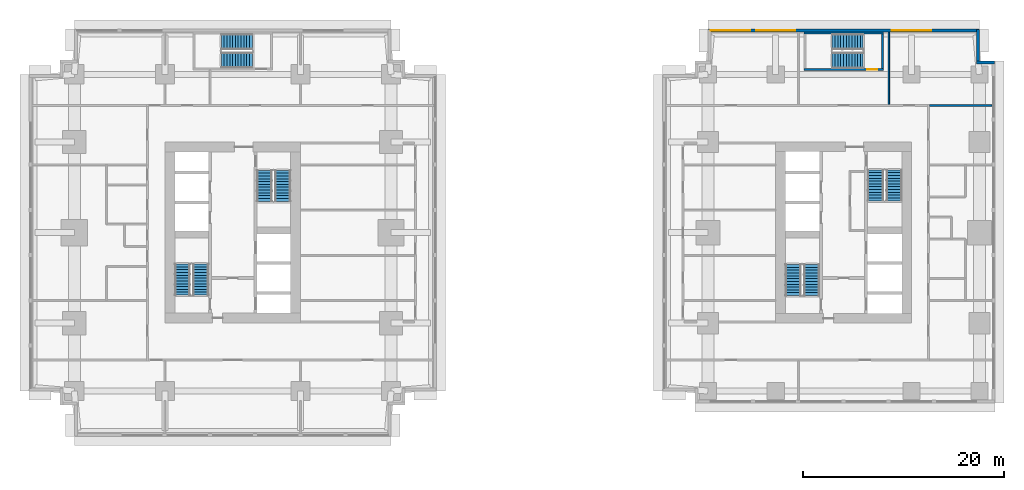
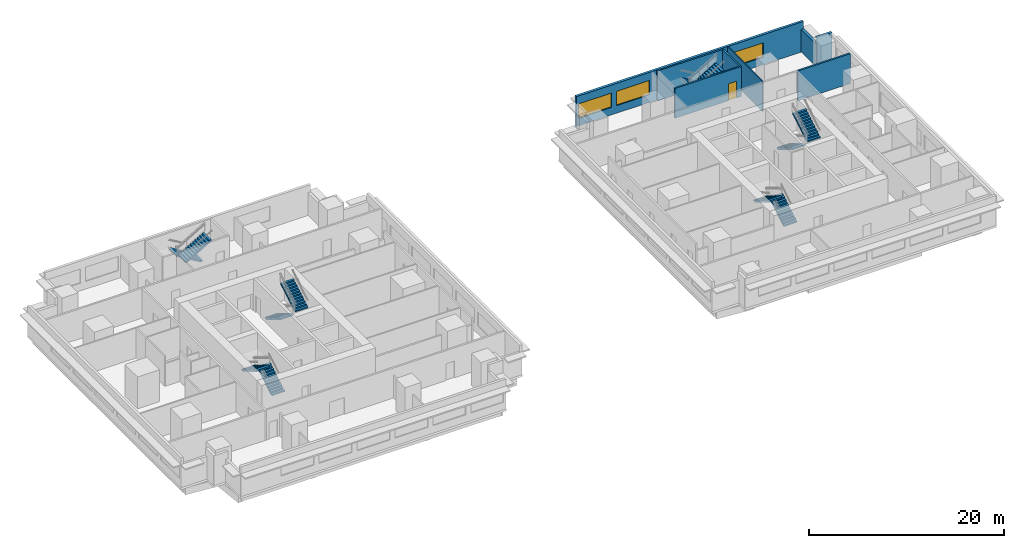
# One storey, part 8 of 11: 12 stair flights, 8 walls, 3 windows, 1 door, 4 openings, 6 elements without a shape of their own.
"""IFC4 building model written with IfcOpenShell, lengths in metres."""

from ifc_helpers import new_model, si_unit, direction, frame, frame_2d, origin, place, context, subcontext, project, spatial, polyline, rectangle, outline, extrude, material, layer, layer_set, type_object, element, fill, aggregate, save


model = new_model("IFC4")

# Units and contexts
model_context = context("Model", 3, precision=1e-05, world=origin(), true_north=direction((0.0, 1.0)))
body_context = subcontext(model_context, "Body", "Model", "MODEL_VIEW")
ifc_project = project(units=[si_unit("LENGTHUNIT", "METRE"), si_unit("AREAUNIT", "SQUARE_METRE"), si_unit("VOLUMEUNIT", "CUBIC_METRE"), si_unit("PLANEANGLEUNIT", "RADIAN"), si_unit("MASSUNIT", "GRAM", prefix="KILO")], contexts=[model_context])

# Site, building, storey
site_placement = place(None, origin())
site = spatial("IfcSite", under=ifc_project, at=site_placement, CompositionType="ELEMENT")
building_placement = place(site_placement, origin())
building = spatial("IfcBuilding", under=site, at=building_placement, Name="Namib Vertical Campus", CompositionType="ELEMENT")
storey_placement = place(building_placement, frame((0.0, 0.0, 85.0)))
storey = spatial("IfcBuildingStorey", under=building, at=storey_placement, Name="L19", CompositionType="ELEMENT", Elevation=85.0)

# Walls
ifc_material_1 = material(Name="Concrete masonry", Category="masonry")
ifc_layer_1 = layer(ifc_material_1, 0.199951171875)
ifc_layer_set_1 = layer_set([ifc_layer_1], Name="Corridor wall 200")
wall_type_1 = type_object("IfcWallType", Name="Corridor wall 200", PredefinedType="SOLIDWALL", material=ifc_layer_set_1)
wall_1_placement = place(storey_placement, frame((89.550048828125, 32.89990234375, 0.0), z_axis=(0.0, 0.0, 1.0), x_axis=(1.0, 0.0, 0.0)))
element("IfcWall", 1, at=wall_1_placement, inside=storey, type_object=wall_type_1, Name="Partition B L19 BNE", PredefinedType="SOLIDWALL", context=body_context, shape_type="SweptSolid", body=[
    extrude(rectangle(XDim=6.199951171875, YDim=0.199951171875, at=frame_2d((3.10009765625, 0.0))), origin(), (0.0, 0.0, 1.0), 3.75),
])
ifc_material_2 = material(Name="Concrete C40/50", Category="concrete")
ifc_layer_2 = layer(ifc_material_2, 0.300048828125)
ifc_layer_set_2 = layer_set([ifc_layer_2], Name="Concrete C40/50")
wall_type_2 = type_object("IfcWallType", Name="External wall 300 board-marked concrete", PredefinedType="STANDARD", material=ifc_layer_set_2)
wall_2_placement = place(storey_placement, frame((96.030029296875, 37.14990234375, 0.0), z_axis=(0.0, 0.0, 1.0), x_axis=(-1.0, 0.0, 0.0)))
element("IfcWall", 2, at=wall_2_placement, inside=storey, type_object=wall_type_2, Name="External wall L19 F05", PredefinedType="STANDARD", context=body_context, shape_type="SweptSolid", body=[
    extrude(rectangle(XDim=1.81005859375, YDim=0.300048828125, at=frame_2d((0.905029296875, 0.0))), origin(), (0.0, 0.0, 1.0), 3.75),
])
wall_3_placement = place(storey_placement, frame((94.35009765625, 37.02001953125, 0.0), z_axis=(0.0, 0.0, 1.0), x_axis=(0.0, 1.0, 0.0)))
element("IfcWall", 3, at=wall_3_placement, inside=storey, type_object=wall_type_2, Name="External wall L19 F06", PredefinedType="STANDARD", context=body_context, shape_type="SweptSolid", body=[
    extrude(rectangle(XDim=3.4599609375, YDim=0.300048828125, at=frame_2d((1.72998046875, 0.0))), origin(), (0.0, 0.0, 1.0), 2.85009765625),
])

# Wall, openings, windows
wall_4_placement = place(storey_placement, frame((94.47998046875, 40.35009765625, 0.0), z_axis=(0.0, 0.0, 1.0), x_axis=(-1.0, 0.0, 0.0)))
wall_4 = element("IfcWall", 4, at=wall_4_placement, inside=storey, type_object=wall_type_2, Name="External wall L19 F07", PredefinedType="STANDARD", context=body_context, shape_type="SweptSolid", body=[
    extrude(rectangle(XDim=26.9599609375, YDim=0.300048828125, at=frame_2d((13.47998046875, 0.0))), origin(), (0.0, 0.0, 1.0), 3.75),
])
opening_1_placement = place(wall_4_placement, frame((22.780029296875, 0.0, 0.949951171875)))
opening_1 = element("IfcOpeningElement", 5, at=opening_1_placement, cuts=wall_4, Name="Opening W3", PredefinedType="OPENING", context=body_context, shape_type="SweptSolid", body=[
    extrude(rectangle(XDim=3.89990234375, YDim=1.800048828125, at=frame_2d((1.949951171875, 0.89990234375))), frame((0.0, 0.159912109375, 0.0), z_axis=(0.0, -1.0, 0.0), x_axis=(1.0, 0.0, 0.0)), (0.0, 0.0, 1.0), 0.320068359375),
])
opening_2_placement = place(wall_4_placement, frame((18.280029296875, 0.0, 0.949951171875)))
opening_2 = element("IfcOpeningElement", 6, at=opening_2_placement, cuts=wall_4, Name="Opening W3", PredefinedType="OPENING", context=body_context, shape_type="SweptSolid", body=[
    extrude(rectangle(XDim=3.89990234375, YDim=1.800048828125, at=frame_2d((1.949951171875, 0.89990234375))), frame((0.0, 0.159912109375, 0.0), z_axis=(0.0, -1.0, 0.0), x_axis=(1.0, 0.0, 0.0)), (0.0, 0.0, 1.0), 0.320068359375),
])
opening_3_placement = place(wall_4_placement, frame((4.780029296875, 0.0, 0.949951171875)))
opening_3 = element("IfcOpeningElement", 7, at=opening_3_placement, cuts=wall_4, Name="Opening W3", PredefinedType="OPENING", context=body_context, shape_type="SweptSolid", body=[
    extrude(rectangle(XDim=3.89990234375, YDim=1.800048828125, at=frame_2d((1.949951171875, 0.89990234375))), frame((0.0, 0.159912109375, 0.0), z_axis=(0.0, -1.0, 0.0), x_axis=(1.0, 0.0, 0.0)), (0.0, 0.0, 1.0), 0.320068359375),
])
ifc_material_3 = material(Name="Dark tinted glass in black aluminium frame", Category="aluminium")
window_type = type_object("IfcWindowType", Name="Ribbon window 3900x1800", PartitioningType="SINGLE_PANEL", PredefinedType="WINDOW", material=ifc_material_3)
window_1_placement = place(opening_1_placement, origin())
window_1 = element("IfcWindow", 8, at=window_1_placement, inside=storey, type_object=window_type, Name="Window W3 L19 F07-1", OverallHeight=1.800048828125, OverallWidth=3.89990234375, PartitioningType="SINGLE_PANEL", PredefinedType="WINDOW", context=body_context, shape_type="SweptSolid", body=[
    extrude(rectangle(XDim=3.89990234375, YDim=1.800048828125, at=frame_2d((1.949951171875, 0.89990234375))), frame((0.0, 0.030029296875, 0.0), z_axis=(0.0, -1.0, 0.0), x_axis=(1.0, 0.0, 0.0)), (0.0, 0.0, 1.0), 0.06005859375),
])
fill(opening_1, window_1)
window_2_placement = place(opening_2_placement, origin())
window_2 = element("IfcWindow", 9, at=window_2_placement, inside=storey, type_object=window_type, Name="Window W3 L19 F07-2", OverallHeight=1.800048828125, OverallWidth=3.89990234375, PartitioningType="SINGLE_PANEL", PredefinedType="WINDOW", context=body_context, shape_type="SweptSolid", body=[
    extrude(rectangle(XDim=3.89990234375, YDim=1.800048828125, at=frame_2d((1.949951171875, 0.89990234375))), frame((0.0, 0.030029296875, 0.0), z_axis=(0.0, -1.0, 0.0), x_axis=(1.0, 0.0, 0.0)), (0.0, 0.0, 1.0), 0.06005859375),
])
fill(opening_2, window_2)
window_3_placement = place(opening_3_placement, origin())
window_3 = element("IfcWindow", 10, at=window_3_placement, inside=storey, type_object=window_type, Name="Window W3 L19 F07-5", OverallHeight=1.800048828125, OverallWidth=3.89990234375, PartitioningType="SINGLE_PANEL", PredefinedType="WINDOW", context=body_context, shape_type="SweptSolid", body=[
    extrude(rectangle(XDim=3.89990234375, YDim=1.800048828125, at=frame_2d((1.949951171875, 0.89990234375))), frame((0.0, 0.030029296875, 0.0), z_axis=(0.0, -1.0, 0.0), x_axis=(1.0, 0.0, 0.0)), (0.0, 0.0, 1.0), 0.06005859375),
])
fill(opening_3, window_3)

# Wall
ifc_material_4 = material(Name="Gypsum board on steel studs", Category="steel")
ifc_layer_3 = layer(ifc_material_4, 0.14990234375)
ifc_layer_set_3 = layer_set([ifc_layer_3], Name="Gypsum board on steel studs")
wall_type_3 = type_object("IfcWallType", Name="Partition 150", PredefinedType="PARTITIONING", material=ifc_layer_set_3)
wall_5_placement = place(storey_placement, frame((85.5, 33.0, 0.0), z_axis=(0.0, 0.0, 1.0), x_axis=(0.0, 1.0, 0.0)))
element("IfcWall", 11, at=wall_5_placement, inside=storey, type_object=wall_type_3, Name="Partition B L19 PN2", PredefinedType="PARTITIONING", context=body_context, shape_type="SweptSolid", body=[
    extrude(rectangle(XDim=7.199951171875, YDim=0.14990234375, at=frame_2d((3.60009765625, 0.0))), origin(), (0.0, 0.0, 1.0), 3.75),
])

# Wall, opening, door
ifc_material_5 = material(Name="Concrete C40/50", Category="concrete")
ifc_layer_4 = layer(ifc_material_5, 0.199951171875)
ifc_layer_set_4 = layer_set([ifc_layer_4], Name="Concrete C40/50")
wall_type_4 = type_object("IfcWallType", Name="Stair enclosure wall RC 200", PredefinedType="SOLIDWALL", material=ifc_layer_set_4)
wall_6_placement = place(storey_placement, frame((77.050048828125, 36.5, 0.0), z_axis=(0.0, 0.0, 1.0), x_axis=(1.0, 0.0, 0.0)))
wall_6 = element("IfcWall", 12, at=wall_6_placement, inside=storey, type_object=wall_type_4, Name="Stair enclosure wall B-S3 L19 S", PredefinedType="SOLIDWALL", context=body_context, shape_type="SweptSolid", body=[
    extrude(rectangle(XDim=7.89990234375, YDim=0.199951171875, at=frame_2d((3.949951171875, 0.0))), origin(), (0.0, 0.0, 1.0), 3.75),
])
opening_4_placement = place(wall_6_placement, frame((6.300048828125, 0.0, 0.0)))
opening_4 = element("IfcOpeningElement", 13, at=opening_4_placement, cuts=wall_6, Name="Opening FD1", PredefinedType="OPENING", context=body_context, shape_type="SweptSolid", body=[
    extrude(rectangle(XDim=1.0, YDim=2.10009765625, at=frame_2d((0.5, 1.050048828125))), frame((0.0, 0.10986328125, 0.0), z_axis=(0.0, -1.0, 0.0), x_axis=(1.0, 0.0, 0.0)), (0.0, 0.0, 1.0), 0.219970703125),
])
ifc_material_6 = material(Name="Steel fire door", Category="steel")
door_type = type_object("IfcDoorType", Name="Fire door 1000x2100", OperationType="SINGLE_SWING_RIGHT", PredefinedType="DOOR", material=ifc_material_6)
door_placement = place(opening_4_placement, origin())
door = element("IfcDoor", 14, at=door_placement, inside=storey, type_object=door_type, Name="Stair door FD1 B L19 S3", OperationType="SINGLE_SWING_RIGHT", OverallHeight=2.10009765625, OverallWidth=1.0, PredefinedType="DOOR", context=body_context, shape_type="SweptSolid", body=[
    extrude(rectangle(XDim=1.0, YDim=2.10009765625, at=frame_2d((0.5, 1.050048828125))), frame((0.0, 0.02490234375, 0.0), z_axis=(0.0, -1.0, 0.0), x_axis=(1.0, 0.0, 0.0)), (0.0, 0.0, 1.0), 0.050048828125),
])
fill(opening_4, door)

# Walls
wall_7_placement = place(storey_placement, frame((77.050048828125, 40.10009765625, 0.0), z_axis=(0.0, 0.0, 1.0), x_axis=(1.0, 0.0, 0.0)))
element("IfcWall", 15, at=wall_7_placement, inside=storey, type_object=wall_type_4, Name="Stair enclosure wall B-S3 L19 N", PredefinedType="SOLIDWALL", context=body_context, shape_type="SweptSolid", body=[
    extrude(rectangle(XDim=7.89990234375, YDim=0.199951171875, at=frame_2d((3.949951171875, 0.0))), origin(), (0.0, 0.0, 1.0), 3.75),
])
wall_8_placement = place(storey_placement, frame((84.85009765625, 36.60009765625, 0.0), z_axis=(0.0, 0.0, 1.0), x_axis=(0.0, 1.0, 0.0)))
element("IfcWall", 16, at=wall_8_placement, inside=storey, type_object=wall_type_4, Name="Stair enclosure wall B-S3 L19 E", PredefinedType="SOLIDWALL", context=body_context, shape_type="SweptSolid", body=[
    extrude(rectangle(XDim=3.39990234375, YDim=0.199951171875, at=frame_2d((1.699951171875, 0.0))), origin(), (0.0, 0.0, 1.0), 3.75),
])

# Stair, stair flights
ifc_material_7 = material(Name="Concrete C40/50 precast", Category="concrete")
stair_type_1 = type_object("IfcStairType", Name="Exit stair 4000 rise 24 risers 3350 wide", PredefinedType="HALF_TURN_STAIR", material=ifc_material_7)
stair_1_placement = place(storey_placement, origin())
stair_1 = element("IfcStair", 17, at=stair_1_placement, inside=storey, type_object=stair_type_1, Name="Exit stair A-S1 L19", PredefinedType="HALF_TURN_STAIR")
ifc_material_8 = material(Name="Concrete C40/50 precast", Category="concrete")
stair_flight_type_1 = type_object("IfcStairFlightType", Name="Stair flight 12 risers 167 1525 wide", PredefinedType="STRAIGHT", material=ifc_material_8)
stair_flight_1_placement = place(storey_placement, frame((17.08740234375, 14.050048828125, 0.0), z_axis=(0.0, 0.0, 1.0), x_axis=(0.0, 1.0, 0.0)))
stair_flight_1 = element("IfcStairFlight", 18, at=stair_flight_1_placement, type_object=stair_flight_type_1, Name="A-S1 flight 1", NumberOfRisers=12, NumberOfTreads=11, PredefinedType="STRAIGHT", RiserHeight=0.166666667, TreadLength=0.28, context=body_context, shape_type="SweptSolid", body=[
    extrude(outline(polyline([(0.0, 0.0), (0.0, 0.166748046875), (0.280029296875, 0.166748046875), (0.280029296875, 0.333251953125), (0.56005859375, 0.333251953125), (0.56005859375, 0.5), (0.840087890625, 0.5), (0.840087890625, 0.666748046875), (1.1201171875, 0.666748046875), (1.1201171875, 0.833251953125), (1.39990234375, 0.833251953125), (1.39990234375, 1.0), (1.679931640625, 1.0), (1.679931640625, 1.166748046875), (1.9599609375, 1.166748046875), (1.9599609375, 1.333251953125), (2.239990234375, 1.333251953125), (2.239990234375, 1.5), (2.52001953125, 1.5), (2.52001953125, 1.666748046875), (2.800048828125, 1.666748046875), (2.800048828125, 1.833251953125), (3.080078125, 1.833251953125), (3.080078125, 2.0), (3.080078125, 1.658935546875), (0.29296875, 0.0), (0.0, 0.0)])), frame((0.0, 0.762451171875, 0.0), z_axis=(0.0, -1.0, 0.0), x_axis=(1.0, 0.0, 0.0)), (0.0, 0.0, 1.0), 1.52490234375),
])
stair_flight_2_placement = place(storey_placement, frame((15.262451171875, 17.1298828125, 2.0), z_axis=(0.0, 0.0, 1.0), x_axis=(0.0, -1.0, 0.0)))
stair_flight_2 = element("IfcStairFlight", 19, at=stair_flight_2_placement, type_object=stair_flight_type_1, Name="A-S1 flight 2", NumberOfRisers=12, NumberOfTreads=11, PredefinedType="STRAIGHT", RiserHeight=0.166666667, TreadLength=0.28, context=body_context, shape_type="SweptSolid", body=[
    extrude(outline(polyline([(0.0, 0.0), (0.0, 0.166748046875), (0.280029296875, 0.166748046875), (0.280029296875, 0.333251953125), (0.56005859375, 0.333251953125), (0.56005859375, 0.5), (0.840087890625, 0.5), (0.840087890625, 0.666748046875), (1.1201171875, 0.666748046875), (1.1201171875, 0.833251953125), (1.39990234375, 0.833251953125), (1.39990234375, 1.0), (1.679931640625, 1.0), (1.679931640625, 1.166748046875), (1.9599609375, 1.166748046875), (1.9599609375, 1.333251953125), (2.239990234375, 1.333251953125), (2.239990234375, 1.5), (2.52001953125, 1.5), (2.52001953125, 1.666748046875), (2.800048828125, 1.666748046875), (2.800048828125, 1.833251953125), (3.080078125, 1.833251953125), (3.080078125, 2.0), (3.080078125, 1.658935546875), (0.29296875, 0.0), (0.0, 0.0)])), frame((0.0, 0.762451171875, 0.0), z_axis=(0.0, -1.0, 0.0), x_axis=(1.0, 0.0, 0.0)), (0.0, 0.0, 1.0), 1.52490234375),
])
aggregate(stair_1, [stair_flight_1, stair_flight_2])

stair_2_placement = place(storey_placement, origin())
stair_2 = element("IfcStair", 20, at=stair_2_placement, inside=storey, type_object=stair_type_1, Name="Exit stair A-S2 L19", PredefinedType="HALF_TURN_STAIR")
stair_flight_3_placement = place(storey_placement, frame((23.41259765625, 26.449951171875, 0.0), z_axis=(0.0, 0.0, 1.0), x_axis=(0.0, -1.0, 0.0)))
stair_flight_3 = element("IfcStairFlight", 21, at=stair_flight_3_placement, type_object=stair_flight_type_1, Name="A-S2 flight 1", NumberOfRisers=12, NumberOfTreads=11, PredefinedType="STRAIGHT", RiserHeight=0.166666667, TreadLength=0.28, context=body_context, shape_type="SweptSolid", body=[
    extrude(outline(polyline([(0.0, 0.0), (0.0, 0.166748046875), (0.280029296875, 0.166748046875), (0.280029296875, 0.333251953125), (0.56005859375, 0.333251953125), (0.56005859375, 0.5), (0.840087890625, 0.5), (0.840087890625, 0.666748046875), (1.1201171875, 0.666748046875), (1.1201171875, 0.833251953125), (1.39990234375, 0.833251953125), (1.39990234375, 1.0), (1.679931640625, 1.0), (1.679931640625, 1.166748046875), (1.9599609375, 1.166748046875), (1.9599609375, 1.333251953125), (2.239990234375, 1.333251953125), (2.239990234375, 1.5), (2.52001953125, 1.5), (2.52001953125, 1.666748046875), (2.800048828125, 1.666748046875), (2.800048828125, 1.833251953125), (3.080078125, 1.833251953125), (3.080078125, 2.0), (3.080078125, 1.658935546875), (0.29296875, 0.0), (0.0, 0.0)])), frame((0.0, 0.762451171875, 0.0), z_axis=(0.0, -1.0, 0.0), x_axis=(1.0, 0.0, 0.0)), (0.0, 0.0, 1.0), 1.52490234375),
])
stair_flight_4_placement = place(storey_placement, frame((25.237548828125, 23.3701171875, 2.0), z_axis=(0.0, 0.0, 1.0), x_axis=(0.0, 1.0, 0.0)))
stair_flight_4 = element("IfcStairFlight", 22, at=stair_flight_4_placement, type_object=stair_flight_type_1, Name="A-S2 flight 2", NumberOfRisers=12, NumberOfTreads=11, PredefinedType="STRAIGHT", RiserHeight=0.166666667, TreadLength=0.28, context=body_context, shape_type="SweptSolid", body=[
    extrude(outline(polyline([(0.0, 0.0), (0.0, 0.166748046875), (0.280029296875, 0.166748046875), (0.280029296875, 0.333251953125), (0.56005859375, 0.333251953125), (0.56005859375, 0.5), (0.840087890625, 0.5), (0.840087890625, 0.666748046875), (1.1201171875, 0.666748046875), (1.1201171875, 0.833251953125), (1.39990234375, 0.833251953125), (1.39990234375, 1.0), (1.679931640625, 1.0), (1.679931640625, 1.166748046875), (1.9599609375, 1.166748046875), (1.9599609375, 1.333251953125), (2.239990234375, 1.333251953125), (2.239990234375, 1.5), (2.52001953125, 1.5), (2.52001953125, 1.666748046875), (2.800048828125, 1.666748046875), (2.800048828125, 1.833251953125), (3.080078125, 1.833251953125), (3.080078125, 2.0), (3.080078125, 1.658935546875), (0.29296875, 0.0), (0.0, 0.0)])), frame((0.0, 0.762451171875, 0.0), z_axis=(0.0, -1.0, 0.0), x_axis=(1.0, 0.0, 0.0)), (0.0, 0.0, 1.0), 1.52490234375),
])
aggregate(stair_2, [stair_flight_3, stair_flight_4])

stair_3_placement = place(storey_placement, origin())
stair_3 = element("IfcStair", 23, at=stair_3_placement, inside=storey, type_object=stair_type_1, Name="Exit stair A-S3 L19", PredefinedType="HALF_TURN_STAIR")
stair_flight_5_placement = place(storey_placement, frame((22.199951171875, 39.237548828125, 0.0), z_axis=(0.0, 0.0, 1.0), x_axis=(-1.0, 0.0, 0.0)))
stair_flight_5 = element("IfcStairFlight", 24, at=stair_flight_5_placement, type_object=stair_flight_type_1, Name="A-S3 flight 1", NumberOfRisers=12, NumberOfTreads=11, PredefinedType="STRAIGHT", RiserHeight=0.166666667, TreadLength=0.28, context=body_context, shape_type="SweptSolid", body=[
    extrude(outline(polyline([(0.0, 0.0), (0.0, 0.166748046875), (0.280029296875, 0.166748046875), (0.280029296875, 0.333251953125), (0.56005859375, 0.333251953125), (0.56005859375, 0.5), (0.840087890625, 0.5), (0.840087890625, 0.666748046875), (1.1201171875, 0.666748046875), (1.1201171875, 0.833251953125), (1.39990234375, 0.833251953125), (1.39990234375, 1.0), (1.679931640625, 1.0), (1.679931640625, 1.166748046875), (1.9599609375, 1.166748046875), (1.9599609375, 1.333251953125), (2.239990234375, 1.333251953125), (2.239990234375, 1.5), (2.52001953125, 1.5), (2.52001953125, 1.666748046875), (2.800048828125, 1.666748046875), (2.800048828125, 1.833251953125), (3.080078125, 1.833251953125), (3.080078125, 2.0), (3.080078125, 1.658935546875), (0.29296875, 0.0), (0.0, 0.0)])), frame((0.0, 0.762451171875, 0.0), z_axis=(0.0, -1.0, 0.0), x_axis=(1.0, 0.0, 0.0)), (0.0, 0.0, 1.0), 1.52490234375),
])
stair_flight_6_placement = place(storey_placement, frame((19.1201171875, 37.41259765625, 2.0), z_axis=(0.0, 0.0, 1.0), x_axis=(1.0, 0.0, 0.0)))
stair_flight_6 = element("IfcStairFlight", 25, at=stair_flight_6_placement, type_object=stair_flight_type_1, Name="A-S3 flight 2", NumberOfRisers=12, NumberOfTreads=11, PredefinedType="STRAIGHT", RiserHeight=0.166666667, TreadLength=0.28, context=body_context, shape_type="SweptSolid", body=[
    extrude(outline(polyline([(0.0, 0.0), (0.0, 0.166748046875), (0.280029296875, 0.166748046875), (0.280029296875, 0.333251953125), (0.56005859375, 0.333251953125), (0.56005859375, 0.5), (0.840087890625, 0.5), (0.840087890625, 0.666748046875), (1.1201171875, 0.666748046875), (1.1201171875, 0.833251953125), (1.39990234375, 0.833251953125), (1.39990234375, 1.0), (1.679931640625, 1.0), (1.679931640625, 1.166748046875), (1.9599609375, 1.166748046875), (1.9599609375, 1.333251953125), (2.239990234375, 1.333251953125), (2.239990234375, 1.5), (2.52001953125, 1.5), (2.52001953125, 1.666748046875), (2.800048828125, 1.666748046875), (2.800048828125, 1.833251953125), (3.080078125, 1.833251953125), (3.080078125, 2.0), (3.080078125, 1.658935546875), (0.29296875, 0.0), (0.0, 0.0)])), frame((0.0, 0.762451171875, 0.0), z_axis=(0.0, -1.0, 0.0), x_axis=(1.0, 0.0, 0.0)), (0.0, 0.0, 1.0), 1.52490234375),
])
aggregate(stair_3, [stair_flight_5, stair_flight_6])

ifc_material_9 = material(Name="Concrete C40/50 precast", Category="concrete")
stair_type_2 = type_object("IfcStairType", Name="Exit stair 4000 rise 24 risers 3400 wide", PredefinedType="HALF_TURN_STAIR", material=ifc_material_9)
stair_4_placement = place(storey_placement, origin())
stair_4 = element("IfcStair", 26, at=stair_4_placement, inside=storey, type_object=stair_type_2, Name="Exit stair B-S1 L19", PredefinedType="HALF_TURN_STAIR")
ifc_material_10 = material(Name="Concrete C40/50 precast", Category="concrete")
stair_flight_type_2 = type_object("IfcStairFlightType", Name="Stair flight 12 risers 167 1550 wide", PredefinedType="STRAIGHT", material=ifc_material_10)
stair_flight_7_placement = place(storey_placement, frame((77.824951171875, 14.0, 0.0), z_axis=(0.0, 0.0, 1.0), x_axis=(0.0, 1.0, 0.0)))
stair_flight_7 = element("IfcStairFlight", 27, at=stair_flight_7_placement, type_object=stair_flight_type_2, Name="B-S1 flight 1", NumberOfRisers=12, NumberOfTreads=11, PredefinedType="STRAIGHT", RiserHeight=0.166666667, TreadLength=0.28, context=body_context, shape_type="SweptSolid", body=[
    extrude(outline(polyline([(0.0, 0.0), (0.0, 0.166748046875), (0.280029296875, 0.166748046875), (0.280029296875, 0.333251953125), (0.56005859375, 0.333251953125), (0.56005859375, 0.5), (0.840087890625, 0.5), (0.840087890625, 0.666748046875), (1.1201171875, 0.666748046875), (1.1201171875, 0.833251953125), (1.39990234375, 0.833251953125), (1.39990234375, 1.0), (1.679931640625, 1.0), (1.679931640625, 1.166748046875), (1.9599609375, 1.166748046875), (1.9599609375, 1.333251953125), (2.239990234375, 1.333251953125), (2.239990234375, 1.5), (2.52001953125, 1.5), (2.52001953125, 1.666748046875), (2.800048828125, 1.666748046875), (2.800048828125, 1.833251953125), (3.080078125, 1.833251953125), (3.080078125, 2.0), (3.080078125, 1.658935546875), (0.29296875, 0.0), (0.0, 0.0)])), frame((0.0, 0.77490234375, 0.0), z_axis=(0.0, -1.0, 0.0), x_axis=(1.0, 0.0, 0.0)), (0.0, 0.0, 1.0), 1.550048828125),
])
stair_flight_8_placement = place(storey_placement, frame((75.97509765625, 17.080078125, 2.0), z_axis=(0.0, 0.0, 1.0), x_axis=(0.0, -1.0, 0.0)))
stair_flight_8 = element("IfcStairFlight", 28, at=stair_flight_8_placement, type_object=stair_flight_type_2, Name="B-S1 flight 2", NumberOfRisers=12, NumberOfTreads=11, PredefinedType="STRAIGHT", RiserHeight=0.166666667, TreadLength=0.28, context=body_context, shape_type="SweptSolid", body=[
    extrude(outline(polyline([(0.0, 0.0), (0.0, 0.166748046875), (0.280029296875, 0.166748046875), (0.280029296875, 0.333251953125), (0.56005859375, 0.333251953125), (0.56005859375, 0.5), (0.840087890625, 0.5), (0.840087890625, 0.666748046875), (1.1201171875, 0.666748046875), (1.1201171875, 0.833251953125), (1.39990234375, 0.833251953125), (1.39990234375, 1.0), (1.679931640625, 1.0), (1.679931640625, 1.166748046875), (1.9599609375, 1.166748046875), (1.9599609375, 1.333251953125), (2.239990234375, 1.333251953125), (2.239990234375, 1.5), (2.52001953125, 1.5), (2.52001953125, 1.666748046875), (2.800048828125, 1.666748046875), (2.800048828125, 1.833251953125), (3.080078125, 1.833251953125), (3.080078125, 2.0), (3.080078125, 1.658935546875), (0.29296875, 0.0), (0.0, 0.0)])), frame((0.0, 0.77490234375, 0.0), z_axis=(0.0, -1.0, 0.0), x_axis=(1.0, 0.0, 0.0)), (0.0, 0.0, 1.0), 1.550048828125),
])
aggregate(stair_4, [stair_flight_7, stair_flight_8])

stair_5_placement = place(storey_placement, origin())
stair_5 = element("IfcStair", 29, at=stair_5_placement, inside=storey, type_object=stair_type_2, Name="Exit stair B-S2 L19", PredefinedType="HALF_TURN_STAIR")
stair_flight_9_placement = place(storey_placement, frame((84.175048828125, 26.5, 0.0), z_axis=(0.0, 0.0, 1.0), x_axis=(0.0, -1.0, 0.0)))
stair_flight_9 = element("IfcStairFlight", 30, at=stair_flight_9_placement, type_object=stair_flight_type_2, Name="B-S2 flight 1", NumberOfRisers=12, NumberOfTreads=11, PredefinedType="STRAIGHT", RiserHeight=0.166666667, TreadLength=0.28, context=body_context, shape_type="SweptSolid", body=[
    extrude(outline(polyline([(0.0, 0.0), (0.0, 0.166748046875), (0.280029296875, 0.166748046875), (0.280029296875, 0.333251953125), (0.56005859375, 0.333251953125), (0.56005859375, 0.5), (0.840087890625, 0.5), (0.840087890625, 0.666748046875), (1.1201171875, 0.666748046875), (1.1201171875, 0.833251953125), (1.39990234375, 0.833251953125), (1.39990234375, 1.0), (1.679931640625, 1.0), (1.679931640625, 1.166748046875), (1.9599609375, 1.166748046875), (1.9599609375, 1.333251953125), (2.239990234375, 1.333251953125), (2.239990234375, 1.5), (2.52001953125, 1.5), (2.52001953125, 1.666748046875), (2.800048828125, 1.666748046875), (2.800048828125, 1.833251953125), (3.080078125, 1.833251953125), (3.080078125, 2.0), (3.080078125, 1.658935546875), (0.29296875, 0.0), (0.0, 0.0)])), frame((0.0, 0.77490234375, 0.0), z_axis=(0.0, -1.0, 0.0), x_axis=(1.0, 0.0, 0.0)), (0.0, 0.0, 1.0), 1.550048828125),
])
stair_flight_10_placement = place(storey_placement, frame((86.02490234375, 23.419921875, 2.0), z_axis=(0.0, 0.0, 1.0), x_axis=(0.0, 1.0, 0.0)))
stair_flight_10 = element("IfcStairFlight", 31, at=stair_flight_10_placement, type_object=stair_flight_type_2, Name="B-S2 flight 2", NumberOfRisers=12, NumberOfTreads=11, PredefinedType="STRAIGHT", RiserHeight=0.166666667, TreadLength=0.28, context=body_context, shape_type="SweptSolid", body=[
    extrude(outline(polyline([(0.0, 0.0), (0.0, 0.166748046875), (0.280029296875, 0.166748046875), (0.280029296875, 0.333251953125), (0.56005859375, 0.333251953125), (0.56005859375, 0.5), (0.840087890625, 0.5), (0.840087890625, 0.666748046875), (1.1201171875, 0.666748046875), (1.1201171875, 0.833251953125), (1.39990234375, 0.833251953125), (1.39990234375, 1.0), (1.679931640625, 1.0), (1.679931640625, 1.166748046875), (1.9599609375, 1.166748046875), (1.9599609375, 1.333251953125), (2.239990234375, 1.333251953125), (2.239990234375, 1.5), (2.52001953125, 1.5), (2.52001953125, 1.666748046875), (2.800048828125, 1.666748046875), (2.800048828125, 1.833251953125), (3.080078125, 1.833251953125), (3.080078125, 2.0), (3.080078125, 1.658935546875), (0.29296875, 0.0), (0.0, 0.0)])), frame((0.0, 0.77490234375, 0.0), z_axis=(0.0, -1.0, 0.0), x_axis=(1.0, 0.0, 0.0)), (0.0, 0.0, 1.0), 1.550048828125),
])
aggregate(stair_5, [stair_flight_9, stair_flight_10])

stair_6_placement = place(storey_placement, origin())
stair_6 = element("IfcStair", 32, at=stair_6_placement, inside=storey, type_object=stair_type_2, Name="Exit stair B-S3 L19", PredefinedType="HALF_TURN_STAIR")
stair_flight_11_placement = place(storey_placement, frame((82.949951171875, 39.22509765625, 0.0), z_axis=(0.0, 0.0, 1.0), x_axis=(-1.0, 0.0, 0.0)))
stair_flight_11 = element("IfcStairFlight", 33, at=stair_flight_11_placement, type_object=stair_flight_type_2, Name="B-S3 flight 1", NumberOfRisers=12, NumberOfTreads=11, PredefinedType="STRAIGHT", RiserHeight=0.166666667, TreadLength=0.28, context=body_context, shape_type="SweptSolid", body=[
    extrude(outline(polyline([(0.0, 0.0), (0.0, 0.166748046875), (0.280029296875, 0.166748046875), (0.280029296875, 0.333251953125), (0.56005859375, 0.333251953125), (0.56005859375, 0.5), (0.840087890625, 0.5), (0.840087890625, 0.666748046875), (1.1201171875, 0.666748046875), (1.1201171875, 0.833251953125), (1.39990234375, 0.833251953125), (1.39990234375, 1.0), (1.679931640625, 1.0), (1.679931640625, 1.166748046875), (1.9599609375, 1.166748046875), (1.9599609375, 1.333251953125), (2.239990234375, 1.333251953125), (2.239990234375, 1.5), (2.52001953125, 1.5), (2.52001953125, 1.666748046875), (2.800048828125, 1.666748046875), (2.800048828125, 1.833251953125), (3.080078125, 1.833251953125), (3.080078125, 2.0), (3.080078125, 1.658935546875), (0.29296875, 0.0), (0.0, 0.0)])), frame((0.0, 0.77490234375, 0.0), z_axis=(0.0, -1.0, 0.0), x_axis=(1.0, 0.0, 0.0)), (0.0, 0.0, 1.0), 1.550048828125),
])
stair_flight_12_placement = place(storey_placement, frame((79.8701171875, 37.375, 2.0), z_axis=(0.0, 0.0, 1.0), x_axis=(1.0, 0.0, 0.0)))
stair_flight_12 = element("IfcStairFlight", 34, at=stair_flight_12_placement, type_object=stair_flight_type_2, Name="B-S3 flight 2", NumberOfRisers=12, NumberOfTreads=11, PredefinedType="STRAIGHT", RiserHeight=0.166666667, TreadLength=0.28, context=body_context, shape_type="SweptSolid", body=[
    extrude(outline(polyline([(0.0, 0.0), (0.0, 0.166748046875), (0.280029296875, 0.166748046875), (0.280029296875, 0.333251953125), (0.56005859375, 0.333251953125), (0.56005859375, 0.5), (0.840087890625, 0.5), (0.840087890625, 0.666748046875), (1.1201171875, 0.666748046875), (1.1201171875, 0.833251953125), (1.39990234375, 0.833251953125), (1.39990234375, 1.0), (1.679931640625, 1.0), (1.679931640625, 1.166748046875), (1.9599609375, 1.166748046875), (1.9599609375, 1.333251953125), (2.239990234375, 1.333251953125), (2.239990234375, 1.5), (2.52001953125, 1.5), (2.52001953125, 1.666748046875), (2.800048828125, 1.666748046875), (2.800048828125, 1.833251953125), (3.080078125, 1.833251953125), (3.080078125, 2.0), (3.080078125, 1.658935546875), (0.29296875, 0.0), (0.0, 0.0)])), frame((0.0, 0.77490234375, 0.0), z_axis=(0.0, -1.0, 0.0), x_axis=(1.0, 0.0, 0.0)), (0.0, 0.0, 1.0), 1.550048828125),
])
aggregate(stair_6, [stair_flight_11, stair_flight_12])

save(model, "model.ifc")
